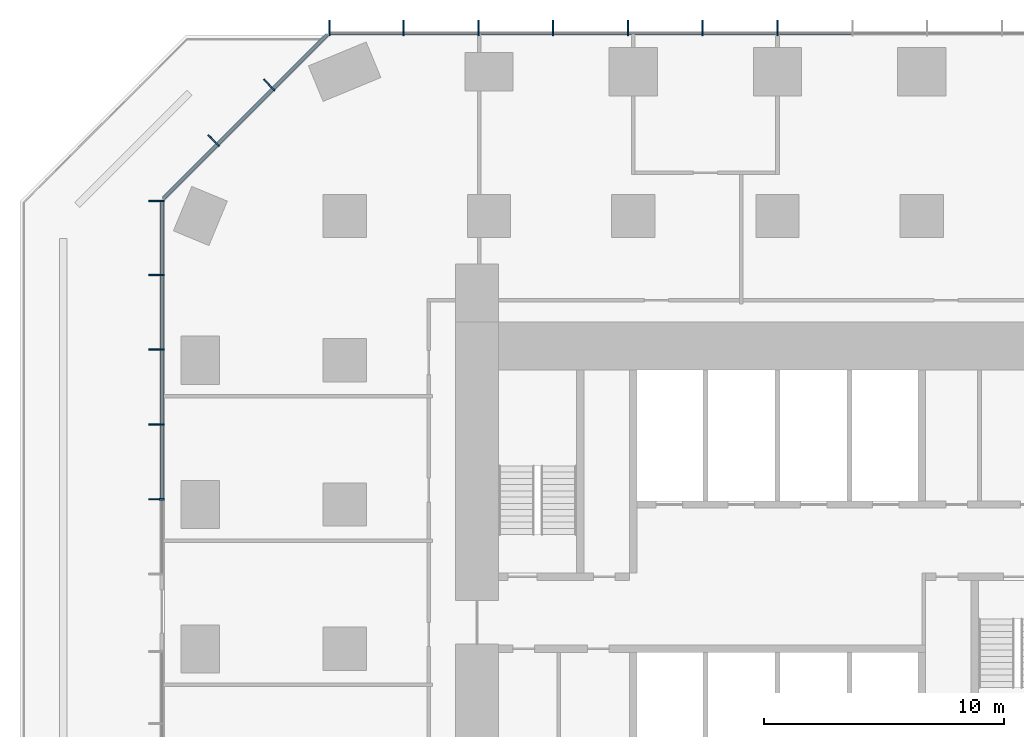
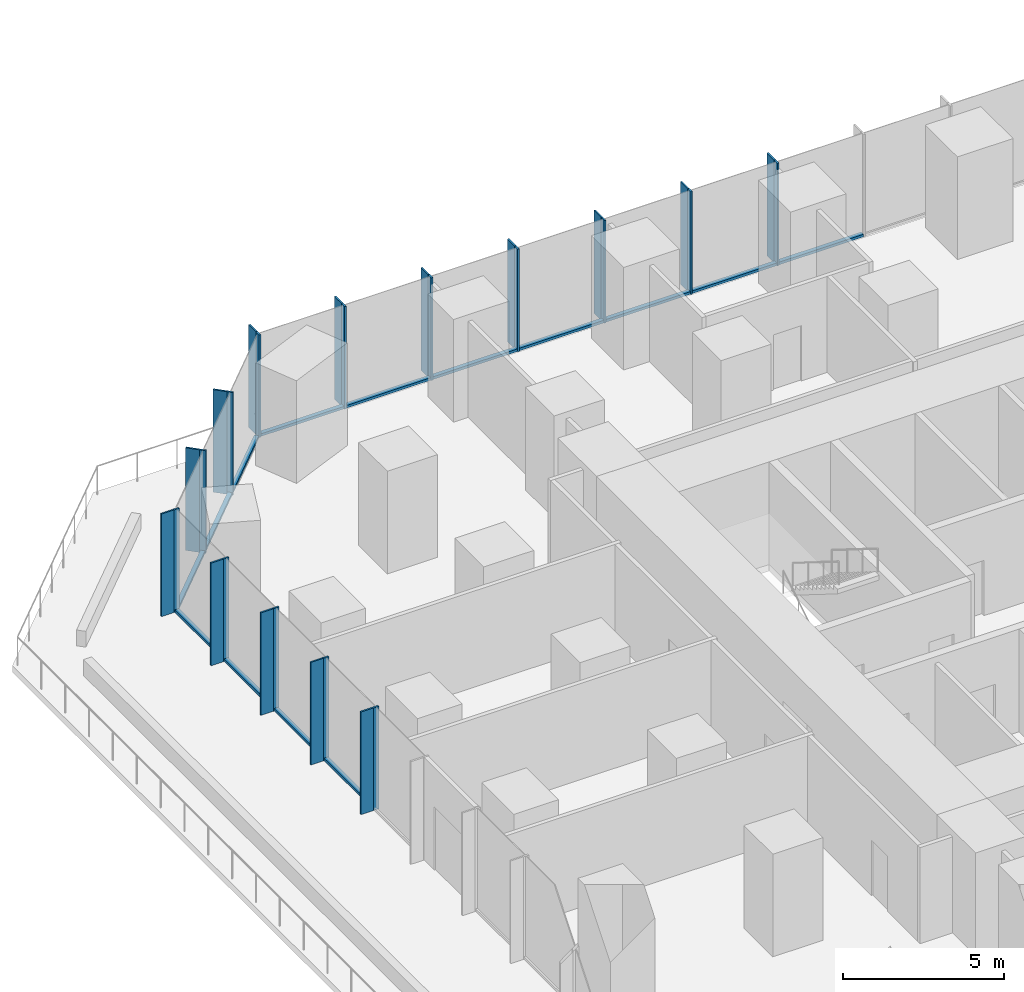
# One storey, part 5 of 12: 42 members, 3 elements without a shape of their own.
"""IFC4 building model written with IfcOpenShell, lengths in metres."""

import ifcopenshell
import ifcopenshell.guid

model = None  # the IFC model being written
_history = None  # IfcOwnerHistory: only IFC2X3 demands one
_inside = {}  # id of a spatial element -> (the spatial element, [elements in it])
_under = {}  # id of a project, library or spatial element -> (it, [spatial elements below it])
_declared = {}  # id of a project -> (the project, [libraries it declares])
_typed = {}  # id of a type object -> (the type object, [elements of that type])
_made_of = {}  # id of a material, layer set ... -> (it, [elements and type objects made of it])


def new_model(schema):
    """Start an empty IFC model of exactly this schema.

    Asked for "IFC4X3", IfcOpenShell would pick the latest addendum, in which some entities
    have other attributes; the version numbers below select the first issue.
    IFC2X3 requires an IfcOwnerHistory on every rooted entity: one is made here for all.
    """
    global model, _history
    if schema == "IFC4X3":
        model = ifcopenshell.file(schema_version=(4, 3, 0, 0))
    else:
        model = ifcopenshell.file(schema=schema)
    _inside.clear()
    _under.clear()
    _declared.clear()
    _typed.clear()
    _made_of.clear()
    _history = None
    if model.schema == "IFC2X3":
        org = make("IfcOrganization", Name="unknown")
        user = make(
            "IfcPersonAndOrganization",
            ThePerson=make("IfcPerson", FamilyName="unknown"),
            TheOrganization=org,
        )
        app = make(
            "IfcApplication",
            ApplicationDeveloper=org,
            Version="unknown",
            ApplicationFullName="unknown",
            ApplicationIdentifier="unknown",
        )
        _history = make(
            "IfcOwnerHistory",
            OwningUser=user,
            OwningApplication=app,
            ChangeAction="ADDED",
            CreationDate=0,
        )
    return model


def make(cls, **values):
    """One entity of the class cls with the attributes given. An attribute that is None is left unset."""
    return model.create_entity(
        cls, **{name: value for name, value in values.items() if value is not None}
    )


def rooted(cls, **values):
    """An entity with a GlobalId (a new one), such as an element, a storey or a relation."""
    return make(cls, GlobalId=ifcopenshell.guid.new(), OwnerHistory=_history, **values)


def si_unit(unit_type, name, prefix=None):
    """IfcSIUnit, for example si_unit("LENGTHUNIT", "METRE", prefix="MILLI")."""
    return make("IfcSIUnit", UnitType=unit_type, Prefix=prefix, Name=name)


def assignment(units):
    """IfcUnitAssignment: the units of a project."""
    return None if units is None else make("IfcUnitAssignment", Units=units)


def point(xyz):
    """IfcCartesianPoint."""
    return None if xyz is None else make("IfcCartesianPoint", Coordinates=xyz)


def direction(xyz):
    """IfcDirection."""
    return None if xyz is None else make("IfcDirection", DirectionRatios=xyz)


def frame(location, z_axis=None, x_axis=None):
    """IfcAxis2Placement3D, a coordinate frame: its origin and axes. An axis left out is left unset."""
    return make(
        "IfcAxis2Placement3D",
        Location=point(location),
        Axis=direction(z_axis),
        RefDirection=direction(x_axis),
    )


def frame_2d(location, x_axis=None):
    """IfcAxis2Placement2D, a coordinate frame in the plane: its origin and x axis."""
    return make(
        "IfcAxis2Placement2D", Location=point(location), RefDirection=direction(x_axis)
    )


def origin():
    """The frame at (0, 0, 0) with its axes left unset."""
    return frame((0.0, 0.0, 0.0))


def origin_2d():
    """The frame at (0, 0) in the plane with its x axis left unset."""
    return frame_2d((0.0, 0.0))


def place(relative_to, where):
    """IfcLocalPlacement: puts the frame where relative to a parent placement (None: the world)."""
    return make(
        "IfcLocalPlacement", PlacementRelTo=relative_to, RelativePlacement=where
    )


def context(
    kind, dimensions, precision=None, world=None, true_north=None, identifier=None
):
    """IfcGeometricRepresentationContext, for example the 3D "Model" context."""
    return make(
        "IfcGeometricRepresentationContext",
        ContextIdentifier=identifier,
        ContextType=kind,
        CoordinateSpaceDimension=dimensions,
        Precision=precision,
        WorldCoordinateSystem=world,
        TrueNorth=true_north,
    )


def subcontext(parent, identifier, kind, view, scale=None):
    """IfcGeometricRepresentationSubContext, for example "Body" below "Model"."""
    return make(
        "IfcGeometricRepresentationSubContext",
        ContextIdentifier=identifier,
        ContextType=kind,
        ParentContext=parent,
        TargetScale=scale,
        TargetView=view,
    )


def project(units=None, contexts=None):
    """IfcProject with its units and contexts."""
    return rooted(
        "IfcProject",
        Name="project",
        RepresentationContexts=contexts,
        UnitsInContext=assignment(units),
    )


def spatial(cls, under=None, at=None, **own):
    """A site, building, storey or space (cls), placed at a placement, below another one or the project."""
    s = rooted(cls, ObjectPlacement=at, **own)
    if under is not None:
        _under.setdefault(under.id(), (under, []))[1].append(s)
    return s


def profile(cls, at=None, kind="AREA", **sizes):
    """A parametric profile (cls). Its sizes go by their IFC names, for example OverallWidth=200.0."""
    return make(cls, ProfileType=kind, Position=at, **sizes)


def rectangle(**sizes):
    """IfcRectangleProfileDef."""
    return profile("IfcRectangleProfileDef", **sizes)


def extrude(swept, where, along, depth):
    """IfcExtrudedAreaSolid: the profile swept, set in the frame where, extruded along a direction by depth."""
    return make(
        "IfcExtrudedAreaSolid",
        SweptArea=swept,
        Position=where,
        ExtrudedDirection=direction(along),
        Depth=depth,
    )


def shape(context_of_items, identifier, shape_type, items):
    """IfcShapeRepresentation: the items that make up one representation, for example the "Body"."""
    return make(
        "IfcShapeRepresentation",
        ContextOfItems=context_of_items,
        RepresentationIdentifier=identifier,
        RepresentationType=shape_type,
        Items=items,
    )


def material(Name=None, Category=None):
    """IfcMaterial."""
    return make("IfcMaterial", Name=Name, Category=Category)


def layer(
    of_material, thickness, ventilated=None, Name=None, Category=None, Priority=None
):
    """IfcMaterialLayer: one layer of a wall or slab, of a material (None: an air gap)."""
    return make(
        "IfcMaterialLayer",
        Material=of_material,
        LayerThickness=thickness,
        IsVentilated=ventilated,
        Name=Name,
        Category=Category,
        Priority=Priority,
    )


def layer_set(layers, Name=None):
    """IfcMaterialLayerSet."""
    return make("IfcMaterialLayerSet", MaterialLayers=layers, LayerSetName=Name)


def material_profile(
    of_material, cross_section, Name=None, Category=None, Priority=None
):
    """IfcMaterialProfile: a cross section and its material."""
    return make(
        "IfcMaterialProfile",
        Name=Name,
        Material=of_material,
        Profile=cross_section,
        Priority=Priority,
        Category=Category,
    )


def profile_set(profiles, Name=None, composite=None):
    """IfcMaterialProfileSet."""
    return make(
        "IfcMaterialProfileSet",
        Name=Name,
        MaterialProfiles=profiles,
        CompositeProfile=composite,
    )


def made_of(thing, what):
    """Note that an element or type object is made of a material, layer set ...; save() writes the relation."""
    if what is not None:
        _made_of.setdefault(what.id(), (what, []))[1].append(thing)
    return thing


def type_object(cls, material=None, **own):
    """A type object (cls), such as IfcWallType, which elements share."""
    return made_of(rooted(cls, **own), material)


def element(
    cls,
    number,
    at=None,
    inside=None,
    cuts=None,
    type_object=None,
    material=None,
    context=None,
    identifier="Body",
    shape_type=None,
    held_by="IfcProductDefinitionShape",
    body=None,
    shapes=None,
    **own,
):
    """One element of the class cls, such as IfcWall. Its Tag is "e" and its number.

    at: its placement. inside: the storey or other place that contains it. cuts: it is an
    opening in that element (IfcRelVoidsElement). A single representation is given by context,
    identifier, shape_type and body (its items); several are given by shapes. held_by: the class
    of the entity that holds the representations. save() writes the other relations.
    """
    e = rooted(cls, Tag="e%d" % number, ObjectPlacement=at, **own)
    if body is not None:
        shapes = [shape(context, identifier, shape_type, body)]
    if shapes is not None:
        e.Representation = make(held_by, Representations=shapes)
    if inside is not None:
        _inside.setdefault(inside.id(), (inside, []))[1].append(e)
    if cuts is not None:
        rooted(
            "IfcRelVoidsElement", RelatingBuildingElement=cuts, RelatedOpeningElement=e
        )
    if type_object is not None:
        _typed.setdefault(type_object.id(), (type_object, []))[1].append(e)
    return made_of(e, material)


def aggregate(whole, parts):
    """IfcRelAggregates: a whole, such as a stair, and the parts it consists of."""
    return rooted("IfcRelAggregates", RelatingObject=whole, RelatedObjects=parts)


def save(model, path):
    """Write the relations noted so far, then the file.

    IfcRelAggregates (storeys below a building ...), IfcRelContainedInSpatialStructure (elements
    in a storey), IfcRelDefinesByType, IfcRelAssociatesMaterial and IfcRelDeclares: one each for
    every whole, place, type object, material and project.
    """
    for whole, parts in _under.values():
        aggregate(whole, parts)
    for where, things in _inside.values():
        rooted(
            "IfcRelContainedInSpatialStructure",
            RelatedElements=things,
            RelatingStructure=where,
        )
    for kind, things in _typed.values():
        rooted("IfcRelDefinesByType", RelatedObjects=things, RelatingType=kind)
    for what, things in _made_of.values():
        rooted("IfcRelAssociatesMaterial", RelatedObjects=things, RelatingMaterial=what)
    for by, libraries in _declared.values():
        rooted("IfcRelDeclares", RelatingContext=by, RelatedDefinitions=libraries)
    model.write(path)


model = new_model("IFC4")

# Units and contexts
model_context = context("Model", 3, precision=1e-05, world=origin(), true_north=direction((0.0, 1.0)))
body_context = subcontext(model_context, "Body", "Model", "MODEL_VIEW")
ifc_project = project(units=[si_unit("LENGTHUNIT", "METRE"), si_unit("AREAUNIT", "SQUARE_METRE"), si_unit("VOLUMEUNIT", "CUBIC_METRE"), si_unit("PLANEANGLEUNIT", "RADIAN"), si_unit("MASSUNIT", "GRAM", prefix="KILO")], contexts=[model_context])

# Site, building, storey
site_placement = place(None, origin())
site = spatial("IfcSite", under=ifc_project, at=site_placement, CompositionType="ELEMENT")
building_placement = place(site_placement, origin())
building = spatial("IfcBuilding", under=site, at=building_placement, Name="Highveld Stack Headquarters", CompositionType="ELEMENT")
storey_placement = place(building_placement, frame((0.0, 0.0, 41.60009765625)))
storey = spatial("IfcBuildingStorey", under=building, at=storey_placement, Name="L09", CompositionType="ELEMENT", Elevation=41.60009765625)

# Curtain wall, members
ifc_material_1 = material(Name="Aluminium bronze anodised", Category="aluminium")
ifc_layer_1 = layer(ifc_material_1, 0.199951171875)
ifc_layer_set_1 = layer_set([ifc_layer_1], Name="Aluminium bronze anodised")
curtain_wall_type_1 = type_object("IfcCurtainWallType", Name="CW1 TOWER UNITISED CURTAIN WALL", PredefinedType="NOTDEFINED", material=ifc_layer_set_1)
curtain_wall_1_placement = place(storey_placement, origin())
curtain_wall_1 = element("IfcCurtainWall", 1, at=curtain_wall_1_placement, inside=storey, type_object=curtain_wall_type_1, Name="Curtain wall CW1 L09 N", PredefinedType="NOTDEFINED")
ifc_material_2 = material(Name="Aluminium bronze anodised", Category="aluminium")
ifc_material_profile_1 = material_profile(ifc_material_2, rectangle(XDim=0.449951171875, YDim=0.06005859375, at=origin_2d()), Name="FIN 450x60")
ifc_profile_set_1 = profile_set([ifc_material_profile_1], Name="Aluminium bronze anodised")
member_type_1 = type_object("IfcMemberType", Name="CW1 BRONZE FIN 450x60", PredefinedType="USERDEFINED", material=ifc_profile_set_1)
member_1_placement = place(storey_placement, frame((6.0, 25.925048828125, 0.0), z_axis=(0.0, 0.0, 1.0), x_axis=(0.0, -1.0, 0.0)))
member_1 = element("IfcMember", 2, at=member_1_placement, type_object=member_type_1, Name="CW1 fin L09 7", ObjectType="FIN", PredefinedType="USERDEFINED", context=body_context, shape_type="SweptSolid", body=[
    extrude(rectangle(XDim=0.449951171875, YDim=0.06005859375, at=origin_2d()), origin(), (0.0, 0.0, 1.0), 3.89990234375),
])
member_2_placement = place(storey_placement, frame((2.889404296875, 25.925048828125, 0.0), z_axis=(0.0, 0.0, 1.0), x_axis=(0.0, -1.0, 0.0)))
member_2 = element("IfcMember", 3, at=member_2_placement, type_object=member_type_1, Name="CW1 fin L09 8", ObjectType="FIN", PredefinedType="USERDEFINED", context=body_context, shape_type="SweptSolid", body=[
    extrude(rectangle(XDim=0.449951171875, YDim=0.06005859375, at=origin_2d()), origin(), (0.0, 0.0, 1.0), 3.89990234375),
])
member_3_placement = place(storey_placement, frame((-0.220947265625, 25.925048828125, 0.0), z_axis=(0.0, 0.0, 1.0), x_axis=(0.0, -1.0, 0.0)))
member_3 = element("IfcMember", 4, at=member_3_placement, type_object=member_type_1, Name="CW1 fin L09 9", ObjectType="FIN", PredefinedType="USERDEFINED", context=body_context, shape_type="SweptSolid", body=[
    extrude(rectangle(XDim=0.449951171875, YDim=0.06005859375, at=origin_2d()), origin(), (0.0, 0.0, 1.0), 3.89990234375),
])
member_4_placement = place(storey_placement, frame((-3.331298828125, 25.925048828125, 0.0), z_axis=(0.0, 0.0, 1.0), x_axis=(0.0, -1.0, 0.0)))
member_4 = element("IfcMember", 5, at=member_4_placement, type_object=member_type_1, Name="CW1 fin L09 10", ObjectType="FIN", PredefinedType="USERDEFINED", context=body_context, shape_type="SweptSolid", body=[
    extrude(rectangle(XDim=0.449951171875, YDim=0.06005859375, at=origin_2d()), origin(), (0.0, 0.0, 1.0), 3.89990234375),
])
member_5_placement = place(storey_placement, frame((-6.44189453125, 25.925048828125, 0.0), z_axis=(0.0, 0.0, 1.0), x_axis=(0.0, -1.0, 0.0)))
member_5 = element("IfcMember", 6, at=member_5_placement, type_object=member_type_1, Name="CW1 fin L09 11", ObjectType="FIN", PredefinedType="USERDEFINED", context=body_context, shape_type="SweptSolid", body=[
    extrude(rectangle(XDim=0.449951171875, YDim=0.06005859375, at=origin_2d()), origin(), (0.0, 0.0, 1.0), 3.89990234375),
])
member_6_placement = place(storey_placement, frame((-9.55224609375, 25.925048828125, 0.0), z_axis=(0.0, 0.0, 1.0), x_axis=(0.0, -1.0, 0.0)))
member_6 = element("IfcMember", 7, at=member_6_placement, type_object=member_type_1, Name="CW1 fin L09 12", ObjectType="FIN", PredefinedType="USERDEFINED", context=body_context, shape_type="SweptSolid", body=[
    extrude(rectangle(XDim=0.449951171875, YDim=0.06005859375, at=origin_2d()), origin(), (0.0, 0.0, 1.0), 3.89990234375),
])
member_7_placement = place(storey_placement, frame((-12.630126953125, 25.925048828125, 0.0), z_axis=(0.0, 0.0, 1.0), x_axis=(0.0, -1.0, 0.0)))
member_7 = element("IfcMember", 8, at=member_7_placement, type_object=member_type_1, Name="CW1 fin L09 13", ObjectType="FIN", PredefinedType="USERDEFINED", context=body_context, shape_type="SweptSolid", body=[
    extrude(rectangle(XDim=0.449951171875, YDim=0.06005859375, at=origin_2d()), origin(), (0.0, 0.0, 1.0), 3.89990234375),
])

curtain_wall_2_placement = place(storey_placement, origin())
curtain_wall_2 = element("IfcCurtainWall", 9, at=curtain_wall_2_placement, inside=storey, type_object=curtain_wall_type_1, Name="Curtain wall CW1 L09 W-1", PredefinedType="NOTDEFINED")
member_8_placement = place(storey_placement, frame((-19.925048828125, 18.630126953125, 0.0), z_axis=(0.0, 0.0, 1.0), x_axis=(1.0, 0.0, 0.0)))
member_8 = element("IfcMember", 10, at=member_8_placement, type_object=member_type_1, Name="CW1 fin L09 1", ObjectType="FIN", PredefinedType="USERDEFINED", context=body_context, shape_type="SweptSolid", body=[
    extrude(rectangle(XDim=0.449951171875, YDim=0.06005859375, at=origin_2d()), origin(), (0.0, 0.0, 1.0), 3.89990234375),
])
member_9_placement = place(storey_placement, frame((-19.925048828125, 15.55224609375, 0.0), z_axis=(0.0, 0.0, 1.0), x_axis=(1.0, 0.0, 0.0)))
member_9 = element("IfcMember", 11, at=member_9_placement, type_object=member_type_1, Name="CW1 fin L09 2", ObjectType="FIN", PredefinedType="USERDEFINED", context=body_context, shape_type="SweptSolid", body=[
    extrude(rectangle(XDim=0.449951171875, YDim=0.06005859375, at=origin_2d()), origin(), (0.0, 0.0, 1.0), 3.89990234375),
])
member_10_placement = place(storey_placement, frame((-19.925048828125, 12.44189453125, 0.0), z_axis=(0.0, 0.0, 1.0), x_axis=(1.0, 0.0, 0.0)))
member_10 = element("IfcMember", 12, at=member_10_placement, type_object=member_type_1, Name="CW1 fin L09 3", ObjectType="FIN", PredefinedType="USERDEFINED", context=body_context, shape_type="SweptSolid", body=[
    extrude(rectangle(XDim=0.449951171875, YDim=0.06005859375, at=origin_2d()), origin(), (0.0, 0.0, 1.0), 3.89990234375),
])
member_11_placement = place(storey_placement, frame((-19.925048828125, 9.331298828125, 0.0), z_axis=(0.0, 0.0, 1.0), x_axis=(1.0, 0.0, 0.0)))
member_11 = element("IfcMember", 13, at=member_11_placement, type_object=member_type_1, Name="CW1 fin L09 4", ObjectType="FIN", PredefinedType="USERDEFINED", context=body_context, shape_type="SweptSolid", body=[
    extrude(rectangle(XDim=0.449951171875, YDim=0.06005859375, at=origin_2d()), origin(), (0.0, 0.0, 1.0), 3.89990234375),
])
member_12_placement = place(storey_placement, frame((-19.925048828125, 6.220947265625, 0.0), z_axis=(0.0, 0.0, 1.0), x_axis=(1.0, 0.0, 0.0)))
member_12 = element("IfcMember", 14, at=member_12_placement, type_object=member_type_1, Name="CW1 fin L09 5", ObjectType="FIN", PredefinedType="USERDEFINED", context=body_context, shape_type="SweptSolid", body=[
    extrude(rectangle(XDim=0.449951171875, YDim=0.06005859375, at=origin_2d()), origin(), (0.0, 0.0, 1.0), 3.89990234375),
])

# Member
ifc_material_3 = material(Name="Aluminium bronze anodised", Category="aluminium")
ifc_material_profile_2 = material_profile(ifc_material_3, rectangle(XDim=0.199951171875, YDim=0.06494140625, at=origin_2d()), Name="CW1 MULLION 65x200")
ifc_profile_set_2 = profile_set([ifc_material_profile_2], Name="Aluminium bronze anodised")
member_type_2 = type_object("IfcMemberType", Name="CW1 MULLION 65x200", PredefinedType="MULLION", material=ifc_profile_set_2)
member_13_placement = place(storey_placement, frame((6.0, 25.60009765625, 0.0), z_axis=(0.0, 0.0, 1.0), x_axis=(0.0, -1.0, 0.0)))
member_13 = element("IfcMember", 15, at=member_13_placement, type_object=member_type_2, Name="CW1 mullion L09 7", PredefinedType="MULLION", context=body_context, shape_type="SweptSolid", body=[
    extrude(rectangle(XDim=0.199951171875, YDim=0.06494140625, at=origin_2d()), origin(), (0.0, 0.0, 1.0), 3.89990234375),
])

member_14_placement = place(storey_placement, frame((2.889404296875, 25.60009765625, 0.0), z_axis=(0.0, 0.0, 1.0), x_axis=(0.0, -1.0, 0.0)))
member_14 = element("IfcMember", 16, at=member_14_placement, type_object=member_type_2, Name="CW1 mullion L09 8", PredefinedType="MULLION", context=body_context, shape_type="SweptSolid", body=[
    extrude(rectangle(XDim=0.199951171875, YDim=0.06494140625, at=origin_2d()), origin(), (0.0, 0.0, 1.0), 3.89990234375),
])

member_15_placement = place(storey_placement, frame((-0.220947265625, 25.60009765625, 0.0), z_axis=(0.0, 0.0, 1.0), x_axis=(0.0, -1.0, 0.0)))
member_15 = element("IfcMember", 17, at=member_15_placement, type_object=member_type_2, Name="CW1 mullion L09 9", PredefinedType="MULLION", context=body_context, shape_type="SweptSolid", body=[
    extrude(rectangle(XDim=0.199951171875, YDim=0.06494140625, at=origin_2d()), origin(), (0.0, 0.0, 1.0), 3.89990234375),
])

member_16_placement = place(storey_placement, frame((-3.331298828125, 25.60009765625, 0.0), z_axis=(0.0, 0.0, 1.0), x_axis=(0.0, -1.0, 0.0)))
member_16 = element("IfcMember", 18, at=member_16_placement, type_object=member_type_2, Name="CW1 mullion L09 10", PredefinedType="MULLION", context=body_context, shape_type="SweptSolid", body=[
    extrude(rectangle(XDim=0.199951171875, YDim=0.06494140625, at=origin_2d()), origin(), (0.0, 0.0, 1.0), 3.89990234375),
])

member_17_placement = place(storey_placement, frame((-6.44189453125, 25.60009765625, 0.0), z_axis=(0.0, 0.0, 1.0), x_axis=(0.0, -1.0, 0.0)))
member_17 = element("IfcMember", 19, at=member_17_placement, type_object=member_type_2, Name="CW1 mullion L09 11", PredefinedType="MULLION", context=body_context, shape_type="SweptSolid", body=[
    extrude(rectangle(XDim=0.199951171875, YDim=0.06494140625, at=origin_2d()), origin(), (0.0, 0.0, 1.0), 3.89990234375),
])

member_18_placement = place(storey_placement, frame((-9.55224609375, 25.60009765625, 0.0), z_axis=(0.0, 0.0, 1.0), x_axis=(0.0, -1.0, 0.0)))
member_18 = element("IfcMember", 20, at=member_18_placement, type_object=member_type_2, Name="CW1 mullion L09 12", PredefinedType="MULLION", context=body_context, shape_type="SweptSolid", body=[
    extrude(rectangle(XDim=0.199951171875, YDim=0.06494140625, at=origin_2d()), origin(), (0.0, 0.0, 1.0), 3.89990234375),
])

member_19_placement = place(storey_placement, frame((-12.630126953125, 25.60009765625, 0.0), z_axis=(0.0, 0.0, 1.0), x_axis=(0.0, -1.0, 0.0)))
member_19 = element("IfcMember", 21, at=member_19_placement, type_object=member_type_2, Name="CW1 mullion L09 13", PredefinedType="MULLION", context=body_context, shape_type="SweptSolid", body=[
    extrude(rectangle(XDim=0.199951171875, YDim=0.06494140625, at=origin_2d()), origin(), (0.0, 0.0, 1.0), 3.89990234375),
])

member_20_placement = place(storey_placement, frame((-19.60009765625, 18.630126953125, 0.0), z_axis=(0.0, 0.0, 1.0), x_axis=(1.0, 0.0, 0.0)))
member_20 = element("IfcMember", 22, at=member_20_placement, type_object=member_type_2, Name="CW1 mullion L09 1", PredefinedType="MULLION", context=body_context, shape_type="SweptSolid", body=[
    extrude(rectangle(XDim=0.199951171875, YDim=0.06494140625, at=origin_2d()), origin(), (0.0, 0.0, 1.0), 3.89990234375),
])

member_21_placement = place(storey_placement, frame((-19.60009765625, 15.55224609375, 0.0), z_axis=(0.0, 0.0, 1.0), x_axis=(1.0, 0.0, 0.0)))
member_21 = element("IfcMember", 23, at=member_21_placement, type_object=member_type_2, Name="CW1 mullion L09 2", PredefinedType="MULLION", context=body_context, shape_type="SweptSolid", body=[
    extrude(rectangle(XDim=0.199951171875, YDim=0.06494140625, at=origin_2d()), origin(), (0.0, 0.0, 1.0), 3.89990234375),
])

member_22_placement = place(storey_placement, frame((-19.60009765625, 12.44189453125, 0.0), z_axis=(0.0, 0.0, 1.0), x_axis=(1.0, 0.0, 0.0)))
member_22 = element("IfcMember", 24, at=member_22_placement, type_object=member_type_2, Name="CW1 mullion L09 3", PredefinedType="MULLION", context=body_context, shape_type="SweptSolid", body=[
    extrude(rectangle(XDim=0.199951171875, YDim=0.06494140625, at=origin_2d()), origin(), (0.0, 0.0, 1.0), 3.89990234375),
])

member_23_placement = place(storey_placement, frame((-19.60009765625, 9.331298828125, 0.0), z_axis=(0.0, 0.0, 1.0), x_axis=(1.0, 0.0, 0.0)))
member_23 = element("IfcMember", 25, at=member_23_placement, type_object=member_type_2, Name="CW1 mullion L09 4", PredefinedType="MULLION", context=body_context, shape_type="SweptSolid", body=[
    extrude(rectangle(XDim=0.199951171875, YDim=0.06494140625, at=origin_2d()), origin(), (0.0, 0.0, 1.0), 3.89990234375),
])

member_24_placement = place(storey_placement, frame((-19.60009765625, 6.220947265625, 0.0), z_axis=(0.0, 0.0, 1.0), x_axis=(1.0, 0.0, 0.0)))
member_24 = element("IfcMember", 26, at=member_24_placement, type_object=member_type_2, Name="CW1 mullion L09 5", PredefinedType="MULLION", context=body_context, shape_type="SweptSolid", body=[
    extrude(rectangle(XDim=0.199951171875, YDim=0.06494140625, at=origin_2d()), origin(), (0.0, 0.0, 1.0), 3.89990234375),
])

ifc_material_4 = material(Name="Aluminium bronze anodised", Category="aluminium")
ifc_material_profile_3 = material_profile(ifc_material_4, rectangle(XDim=0.14990234375, YDim=0.10009765625, at=origin_2d()), Name="CW1 TRANSOM 150x100")
ifc_profile_set_3 = profile_set([ifc_material_profile_3], Name="Aluminium bronze anodised")
member_type_3 = type_object("IfcMemberType", Name="CW1 STACK TRANSOM 150x100", PredefinedType="USERDEFINED", material=ifc_profile_set_3)
member_25_placement = place(storey_placement, frame((9.077880859375, 25.60009765625, 0.0498046875), z_axis=(-1.0, 0.0, 0.0), x_axis=(0.0, -1.0, 0.0)))
member_25 = element("IfcMember", 27, at=member_25_placement, type_object=member_type_3, Name="CW1 transom L09 6.1", ObjectType="TRANSOM", PredefinedType="USERDEFINED", context=body_context, shape_type="SweptSolid", body=[
    extrude(rectangle(XDim=0.14990234375, YDim=0.10009765625, at=origin_2d()), origin(), (0.0, 0.0, 1.0), 3.04541015625),
])

member_26_placement = place(storey_placement, frame((5.967529296875, 25.60009765625, 0.0498046875), z_axis=(-1.0, 0.0, 0.0), x_axis=(0.0, -1.0, 0.0)))
member_26 = element("IfcMember", 28, at=member_26_placement, type_object=member_type_3, Name="CW1 transom L09 7.1", ObjectType="TRANSOM", PredefinedType="USERDEFINED", context=body_context, shape_type="SweptSolid", body=[
    extrude(rectangle(XDim=0.14990234375, YDim=0.10009765625, at=origin_2d()), origin(), (0.0, 0.0, 1.0), 3.04541015625),
])

member_27_placement = place(storey_placement, frame((2.857177734375, 25.60009765625, 0.0498046875), z_axis=(-1.0, 0.0, 0.0), x_axis=(0.0, -1.0, 0.0)))
member_27 = element("IfcMember", 29, at=member_27_placement, type_object=member_type_3, Name="CW1 transom L09 8.1", ObjectType="TRANSOM", PredefinedType="USERDEFINED", context=body_context, shape_type="SweptSolid", body=[
    extrude(rectangle(XDim=0.14990234375, YDim=0.10009765625, at=origin_2d()), origin(), (0.0, 0.0, 1.0), 3.045654296875),
])

member_28_placement = place(storey_placement, frame((-0.25341796875, 25.60009765625, 0.0498046875), z_axis=(-1.0, 0.0, 0.0), x_axis=(0.0, -1.0, 0.0)))
member_28 = element("IfcMember", 30, at=member_28_placement, type_object=member_type_3, Name="CW1 transom L09 9.1", ObjectType="TRANSOM", PredefinedType="USERDEFINED", context=body_context, shape_type="SweptSolid", body=[
    extrude(rectangle(XDim=0.14990234375, YDim=0.10009765625, at=origin_2d()), origin(), (0.0, 0.0, 1.0), 3.04541015625),
])

member_29_placement = place(storey_placement, frame((-3.36376953125, 25.60009765625, 0.0498046875), z_axis=(-1.0, 0.0, 0.0), x_axis=(0.0, -1.0, 0.0)))
member_29 = element("IfcMember", 31, at=member_29_placement, type_object=member_type_3, Name="CW1 transom L09 10.1", ObjectType="TRANSOM", PredefinedType="USERDEFINED", context=body_context, shape_type="SweptSolid", body=[
    extrude(rectangle(XDim=0.14990234375, YDim=0.10009765625, at=origin_2d()), origin(), (0.0, 0.0, 1.0), 3.04541015625),
])

member_30_placement = place(storey_placement, frame((-6.474365234375, 25.60009765625, 0.0498046875), z_axis=(-1.0, 0.0, 0.0), x_axis=(0.0, -1.0, 0.0)))
member_30 = element("IfcMember", 32, at=member_30_placement, type_object=member_type_3, Name="CW1 transom L09 11.1", ObjectType="TRANSOM", PredefinedType="USERDEFINED", context=body_context, shape_type="SweptSolid", body=[
    extrude(rectangle(XDim=0.14990234375, YDim=0.10009765625, at=origin_2d()), origin(), (0.0, 0.0, 1.0), 3.04541015625),
])

member_31_placement = place(storey_placement, frame((-9.584716796875, 25.60009765625, 0.0498046875), z_axis=(-1.0, 0.0, 0.0), x_axis=(0.0, -1.0, 0.0)))
member_31 = element("IfcMember", 33, at=member_31_placement, type_object=member_type_3, Name="CW1 transom L09 12.1", ObjectType="TRANSOM", PredefinedType="USERDEFINED", context=body_context, shape_type="SweptSolid", body=[
    extrude(rectangle(XDim=0.14990234375, YDim=0.10009765625, at=origin_2d()), origin(), (0.0, 0.0, 1.0), 3.012939453125),
])

aggregate(curtain_wall_1, [member_13, member_1, member_14, member_2, member_15, member_3, member_16, member_4, member_17, member_5, member_18, member_6, member_19, member_7, member_25, member_26, member_27, member_28, member_29, member_30, member_31])

member_32_placement = place(storey_placement, frame((-19.60009765625, 18.59765625, 0.0498046875), z_axis=(0.0, -1.0, 0.0), x_axis=(1.0, 0.0, 0.0)))
member_32 = element("IfcMember", 34, at=member_32_placement, type_object=member_type_3, Name="CW1 transom L09 1.1", ObjectType="TRANSOM", PredefinedType="USERDEFINED", context=body_context, shape_type="SweptSolid", body=[
    extrude(rectangle(XDim=0.14990234375, YDim=0.10009765625, at=origin_2d()), origin(), (0.0, 0.0, 1.0), 3.012939453125),
])

member_33_placement = place(storey_placement, frame((-19.60009765625, 15.519775390625, 0.0498046875), z_axis=(0.0, -1.0, 0.0), x_axis=(1.0, 0.0, 0.0)))
member_33 = element("IfcMember", 35, at=member_33_placement, type_object=member_type_3, Name="CW1 transom L09 2.1", ObjectType="TRANSOM", PredefinedType="USERDEFINED", context=body_context, shape_type="SweptSolid", body=[
    extrude(rectangle(XDim=0.14990234375, YDim=0.10009765625, at=origin_2d()), origin(), (0.0, 0.0, 1.0), 3.04541015625),
])

member_34_placement = place(storey_placement, frame((-19.60009765625, 12.4091796875, 0.0498046875), z_axis=(0.0, -1.0, 0.0), x_axis=(1.0, 0.0, 0.0)))
member_34 = element("IfcMember", 36, at=member_34_placement, type_object=member_type_3, Name="CW1 transom L09 3.1", ObjectType="TRANSOM", PredefinedType="USERDEFINED", context=body_context, shape_type="SweptSolid", body=[
    extrude(rectangle(XDim=0.14990234375, YDim=0.10009765625, at=origin_2d()), origin(), (0.0, 0.0, 1.0), 3.045166015625),
])

member_35_placement = place(storey_placement, frame((-19.60009765625, 9.298828125, 0.0498046875), z_axis=(0.0, -1.0, 0.0), x_axis=(1.0, 0.0, 0.0)))
member_35 = element("IfcMember", 37, at=member_35_placement, type_object=member_type_3, Name="CW1 transom L09 4.1", ObjectType="TRANSOM", PredefinedType="USERDEFINED", context=body_context, shape_type="SweptSolid", body=[
    extrude(rectangle(XDim=0.14990234375, YDim=0.10009765625, at=origin_2d()), origin(), (0.0, 0.0, 1.0), 3.04541015625),
])

aggregate(curtain_wall_2, [member_20, member_8, member_21, member_9, member_22, member_10, member_23, member_11, member_24, member_12, member_32, member_33, member_34, member_35])

# Curtain wall, members
ifc_material_5 = material(Name="Aluminium bronze anodised", Category="aluminium")
ifc_layer_2 = layer(ifc_material_5, 0.199951171875)
ifc_layer_set_2 = layer_set([ifc_layer_2], Name="Aluminium bronze anodised")
curtain_wall_type_2 = type_object("IfcCurtainWallType", Name="CW2 TOWER CHAMFER UNITISED CURTAIN WALL", PredefinedType="NOTDEFINED", material=ifc_layer_set_2)
curtain_wall_3_placement = place(storey_placement, origin())
curtain_wall_3 = element("IfcCurtainWall", 38, at=curtain_wall_3_placement, inside=storey, type_object=curtain_wall_type_2, Name="Curtain wall CW2 L09 NW", PredefinedType="NOTDEFINED")
ifc_material_6 = material(Name="Aluminium bronze anodised", Category="aluminium")
ifc_material_profile_4 = material_profile(ifc_material_6, rectangle(XDim=0.449951171875, YDim=0.06005859375, at=origin_2d()), Name="FIN 450x60")
ifc_profile_set_4 = profile_set([ifc_material_profile_4], Name="Aluminium bronze anodised")
member_type_4 = type_object("IfcMemberType", Name="CW2 BRONZE FIN 450x60", PredefinedType="USERDEFINED", material=ifc_profile_set_4)
member_36_placement = place(storey_placement, frame((-15.204833984375, 23.517333984375, 0.0), z_axis=(0.0, 0.0, 1.0), x_axis=(0.707106781187, -0.707106781187, 0.0)))
member_36 = element("IfcMember", 39, at=member_36_placement, type_object=member_type_4, Name="CW2 fin L09 1", ObjectType="FIN", PredefinedType="USERDEFINED", context=body_context, shape_type="SweptSolid", body=[
    extrude(rectangle(XDim=0.449951171875, YDim=0.06005859375, at=origin_2d()), origin(), (0.0, 0.0, 1.0), 3.89990234375),
])
member_37_placement = place(storey_placement, frame((-17.517333984375, 21.204833984375, 0.0), z_axis=(0.0, 0.0, 1.0), x_axis=(0.707106781187, -0.707106781187, 0.0)))
member_37 = element("IfcMember", 40, at=member_37_placement, type_object=member_type_4, Name="CW2 fin L09 2", ObjectType="FIN", PredefinedType="USERDEFINED", context=body_context, shape_type="SweptSolid", body=[
    extrude(rectangle(XDim=0.449951171875, YDim=0.06005859375, at=origin_2d()), origin(), (0.0, 0.0, 1.0), 3.89990234375),
])
ifc_material_7 = material(Name="Aluminium bronze anodised", Category="aluminium")
ifc_material_profile_5 = material_profile(ifc_material_7, rectangle(XDim=0.199951171875, YDim=0.06494140625, at=origin_2d()), Name="CW2 MULLION 65x200")
ifc_profile_set_5 = profile_set([ifc_material_profile_5], Name="Aluminium bronze anodised")
member_type_5 = type_object("IfcMemberType", Name="CW2 MULLION 65x200", PredefinedType="MULLION", material=ifc_profile_set_5)
member_38_placement = place(storey_placement, frame((-14.97509765625, 23.28759765625, 0.0), z_axis=(0.0, 0.0, 1.0), x_axis=(0.707106781187, -0.707106781187, 0.0)))
member_38 = element("IfcMember", 41, at=member_38_placement, type_object=member_type_5, Name="CW2 mullion L09 1", PredefinedType="MULLION", context=body_context, shape_type="SweptSolid", body=[
    extrude(rectangle(XDim=0.199951171875, YDim=0.06494140625, at=origin_2d()), origin(), (0.0, 0.0, 1.0), 3.89990234375),
])
member_39_placement = place(storey_placement, frame((-17.28759765625, 20.97509765625, 0.0), z_axis=(0.0, 0.0, 1.0), x_axis=(0.707106781187, -0.707106781187, 0.0)))
member_39 = element("IfcMember", 42, at=member_39_placement, type_object=member_type_5, Name="CW2 mullion L09 2", PredefinedType="MULLION", context=body_context, shape_type="SweptSolid", body=[
    extrude(rectangle(XDim=0.199951171875, YDim=0.06494140625, at=origin_2d()), origin(), (0.0, 0.0, 1.0), 3.89990234375),
])
ifc_material_8 = material(Name="Aluminium bronze anodised", Category="aluminium")
ifc_material_profile_6 = material_profile(ifc_material_8, rectangle(XDim=0.14990234375, YDim=0.10009765625, at=origin_2d()), Name="CW2 TRANSOM 150x100")
ifc_profile_set_6 = profile_set([ifc_material_profile_6], Name="Aluminium bronze anodised")
member_type_6 = type_object("IfcMemberType", Name="CW2 STACK TRANSOM 150x100", PredefinedType="USERDEFINED", material=ifc_profile_set_6)
member_40_placement = place(storey_placement, frame((-12.7333984375, 25.529296875, 0.0498046875), z_axis=(-0.707106781187, -0.707106781187, 0.0), x_axis=(0.707106781187, -0.707106781187, 0.0)))
member_40 = element("IfcMember", 43, at=member_40_placement, type_object=member_type_6, Name="CW2 transom L09 1.1", ObjectType="TRANSOM", PredefinedType="USERDEFINED", context=body_context, shape_type="SweptSolid", body=[
    extrude(rectangle(XDim=0.14990234375, YDim=0.10009765625, at=origin_2d()), origin(), (0.0, 0.0, 1.0), 3.1376953125),
])
member_41_placement = place(storey_placement, frame((-14.998046875, 23.2646484375, 0.0498046875), z_axis=(-0.707106781187, -0.707106781187, 0.0), x_axis=(0.707106781187, -0.707106781187, 0.0)))
member_41 = element("IfcMember", 44, at=member_41_placement, type_object=member_type_6, Name="CW2 transom L09 2.1", ObjectType="TRANSOM", PredefinedType="USERDEFINED", context=body_context, shape_type="SweptSolid", body=[
    extrude(rectangle(XDim=0.14990234375, YDim=0.10009765625, at=origin_2d()), origin(), (0.0, 0.0, 1.0), 3.20556640625),
])
member_42_placement = place(storey_placement, frame((-17.310546875, 20.9521484375, 0.0498046875), z_axis=(-0.707106781187, -0.707106781187, 0.0), x_axis=(0.707106781187, -0.707106781187, 0.0)))
member_42 = element("IfcMember", 45, at=member_42_placement, type_object=member_type_6, Name="CW2 transom L09 3.1", ObjectType="TRANSOM", PredefinedType="USERDEFINED", context=body_context, shape_type="SweptSolid", body=[
    extrude(rectangle(XDim=0.14990234375, YDim=0.10009765625, at=origin_2d()), origin(), (0.0, 0.0, 1.0), 3.1376953125),
])
aggregate(curtain_wall_3, [member_38, member_36, member_39, member_37, member_40, member_41, member_42])

save(model, "model.ifc")
